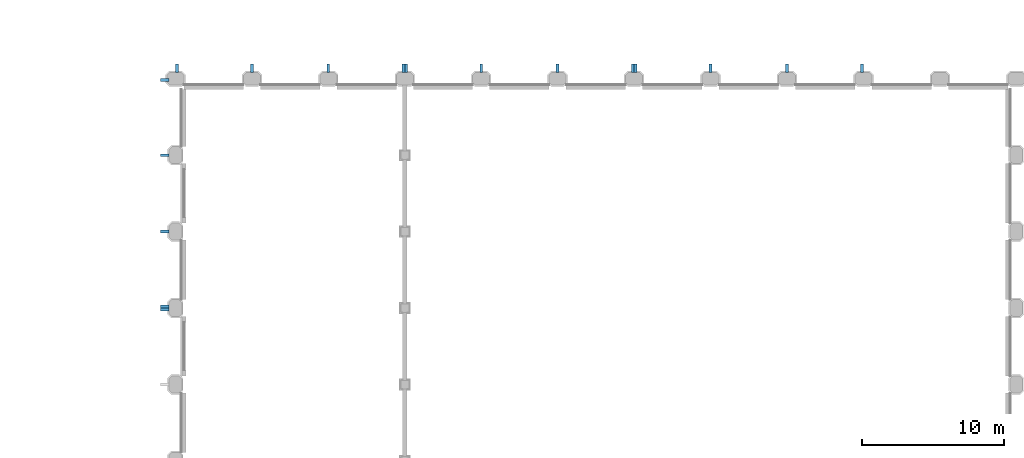
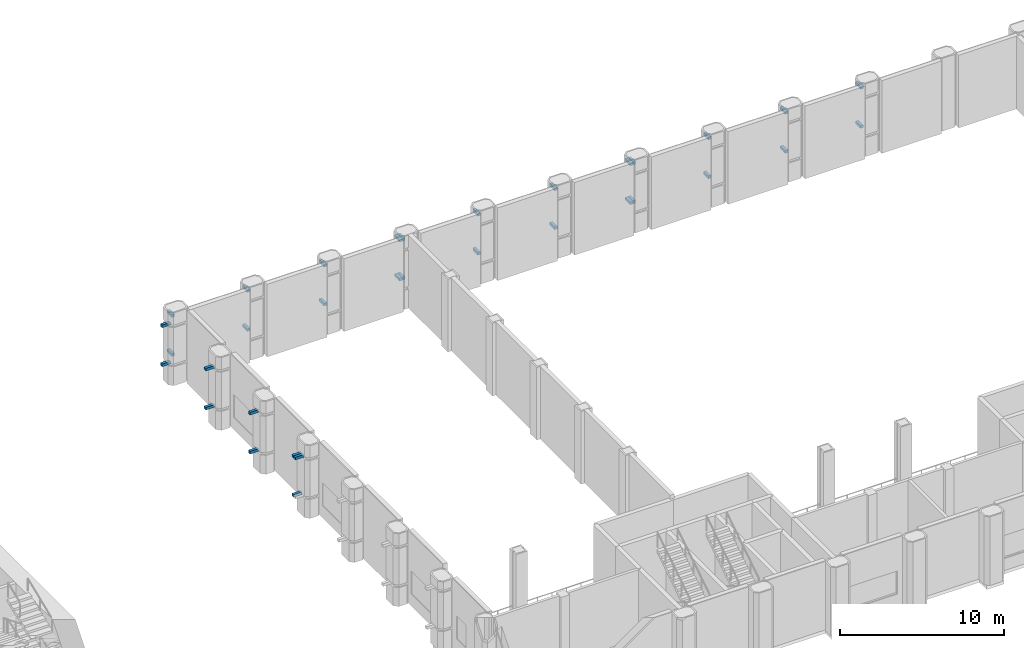
# One storey, part 18 of 27: 33 discrete accessories.
"""IFC4 building model written with IfcOpenShell, lengths in metres."""

import ifcopenshell
import ifcopenshell.guid

model = None  # the IFC model being written
_history = None  # IfcOwnerHistory: only IFC2X3 demands one
_inside = {}  # id of a spatial element -> (the spatial element, [elements in it])
_under = {}  # id of a project, library or spatial element -> (it, [spatial elements below it])
_declared = {}  # id of a project -> (the project, [libraries it declares])
_typed = {}  # id of a type object -> (the type object, [elements of that type])
_made_of = {}  # id of a material, layer set ... -> (it, [elements and type objects made of it])


def new_model(schema):
    """Start an empty IFC model of exactly this schema.

    Asked for "IFC4X3", IfcOpenShell would pick the latest addendum, in which some entities
    have other attributes; the version numbers below select the first issue.
    IFC2X3 requires an IfcOwnerHistory on every rooted entity: one is made here for all.
    """
    global model, _history
    if schema == "IFC4X3":
        model = ifcopenshell.file(schema_version=(4, 3, 0, 0))
    else:
        model = ifcopenshell.file(schema=schema)
    _inside.clear()
    _under.clear()
    _declared.clear()
    _typed.clear()
    _made_of.clear()
    _history = None
    if model.schema == "IFC2X3":
        org = make("IfcOrganization", Name="unknown")
        user = make(
            "IfcPersonAndOrganization",
            ThePerson=make("IfcPerson", FamilyName="unknown"),
            TheOrganization=org,
        )
        app = make(
            "IfcApplication",
            ApplicationDeveloper=org,
            Version="unknown",
            ApplicationFullName="unknown",
            ApplicationIdentifier="unknown",
        )
        _history = make(
            "IfcOwnerHistory",
            OwningUser=user,
            OwningApplication=app,
            ChangeAction="ADDED",
            CreationDate=0,
        )
    return model


def make(cls, **values):
    """One entity of the class cls with the attributes given. An attribute that is None is left unset."""
    return model.create_entity(
        cls, **{name: value for name, value in values.items() if value is not None}
    )


def rooted(cls, **values):
    """An entity with a GlobalId (a new one), such as an element, a storey or a relation."""
    return make(cls, GlobalId=ifcopenshell.guid.new(), OwnerHistory=_history, **values)


def si_unit(unit_type, name, prefix=None):
    """IfcSIUnit, for example si_unit("LENGTHUNIT", "METRE", prefix="MILLI")."""
    return make("IfcSIUnit", UnitType=unit_type, Prefix=prefix, Name=name)


def assignment(units):
    """IfcUnitAssignment: the units of a project."""
    return None if units is None else make("IfcUnitAssignment", Units=units)


def point(xyz):
    """IfcCartesianPoint."""
    return None if xyz is None else make("IfcCartesianPoint", Coordinates=xyz)


def direction(xyz):
    """IfcDirection."""
    return None if xyz is None else make("IfcDirection", DirectionRatios=xyz)


def frame(location, z_axis=None, x_axis=None):
    """IfcAxis2Placement3D, a coordinate frame: its origin and axes. An axis left out is left unset."""
    return make(
        "IfcAxis2Placement3D",
        Location=point(location),
        Axis=direction(z_axis),
        RefDirection=direction(x_axis),
    )


def frame_2d(location, x_axis=None):
    """IfcAxis2Placement2D, a coordinate frame in the plane: its origin and x axis."""
    return make(
        "IfcAxis2Placement2D", Location=point(location), RefDirection=direction(x_axis)
    )


def origin():
    """The frame at (0, 0, 0) with its axes left unset."""
    return frame((0.0, 0.0, 0.0))


def origin_2d():
    """The frame at (0, 0) in the plane with its x axis left unset."""
    return frame_2d((0.0, 0.0))


def place(relative_to, where):
    """IfcLocalPlacement: puts the frame where relative to a parent placement (None: the world)."""
    return make(
        "IfcLocalPlacement", PlacementRelTo=relative_to, RelativePlacement=where
    )


def context(
    kind, dimensions, precision=None, world=None, true_north=None, identifier=None
):
    """IfcGeometricRepresentationContext, for example the 3D "Model" context."""
    return make(
        "IfcGeometricRepresentationContext",
        ContextIdentifier=identifier,
        ContextType=kind,
        CoordinateSpaceDimension=dimensions,
        Precision=precision,
        WorldCoordinateSystem=world,
        TrueNorth=true_north,
    )


def subcontext(parent, identifier, kind, view, scale=None):
    """IfcGeometricRepresentationSubContext, for example "Body" below "Model"."""
    return make(
        "IfcGeometricRepresentationSubContext",
        ContextIdentifier=identifier,
        ContextType=kind,
        ParentContext=parent,
        TargetScale=scale,
        TargetView=view,
    )


def project(units=None, contexts=None):
    """IfcProject with its units and contexts."""
    return rooted(
        "IfcProject",
        Name="project",
        RepresentationContexts=contexts,
        UnitsInContext=assignment(units),
    )


def spatial(cls, under=None, at=None, **own):
    """A site, building, storey or space (cls), placed at a placement, below another one or the project."""
    s = rooted(cls, ObjectPlacement=at, **own)
    if under is not None:
        _under.setdefault(under.id(), (under, []))[1].append(s)
    return s


def profile(cls, at=None, kind="AREA", **sizes):
    """A parametric profile (cls). Its sizes go by their IFC names, for example OverallWidth=200.0."""
    return make(cls, ProfileType=kind, Position=at, **sizes)


def rectangle(**sizes):
    """IfcRectangleProfileDef."""
    return profile("IfcRectangleProfileDef", **sizes)


def extrude(swept, where, along, depth):
    """IfcExtrudedAreaSolid: the profile swept, set in the frame where, extruded along a direction by depth."""
    return make(
        "IfcExtrudedAreaSolid",
        SweptArea=swept,
        Position=where,
        ExtrudedDirection=direction(along),
        Depth=depth,
    )


def shape(context_of_items, identifier, shape_type, items):
    """IfcShapeRepresentation: the items that make up one representation, for example the "Body"."""
    return make(
        "IfcShapeRepresentation",
        ContextOfItems=context_of_items,
        RepresentationIdentifier=identifier,
        RepresentationType=shape_type,
        Items=items,
    )


def made_of(thing, what):
    """Note that an element or type object is made of a material, layer set ...; save() writes the relation."""
    if what is not None:
        _made_of.setdefault(what.id(), (what, []))[1].append(thing)
    return thing


def element(
    cls,
    number,
    at=None,
    inside=None,
    cuts=None,
    type_object=None,
    material=None,
    context=None,
    identifier="Body",
    shape_type=None,
    held_by="IfcProductDefinitionShape",
    body=None,
    shapes=None,
    **own,
):
    """One element of the class cls, such as IfcWall. Its Tag is "e" and its number.

    at: its placement. inside: the storey or other place that contains it. cuts: it is an
    opening in that element (IfcRelVoidsElement). A single representation is given by context,
    identifier, shape_type and body (its items); several are given by shapes. held_by: the class
    of the entity that holds the representations. save() writes the other relations.
    """
    e = rooted(cls, Tag="e%d" % number, ObjectPlacement=at, **own)
    if body is not None:
        shapes = [shape(context, identifier, shape_type, body)]
    if shapes is not None:
        e.Representation = make(held_by, Representations=shapes)
    if inside is not None:
        _inside.setdefault(inside.id(), (inside, []))[1].append(e)
    if cuts is not None:
        rooted(
            "IfcRelVoidsElement", RelatingBuildingElement=cuts, RelatedOpeningElement=e
        )
    if type_object is not None:
        _typed.setdefault(type_object.id(), (type_object, []))[1].append(e)
    return made_of(e, material)


def aggregate(whole, parts):
    """IfcRelAggregates: a whole, such as a stair, and the parts it consists of."""
    return rooted("IfcRelAggregates", RelatingObject=whole, RelatedObjects=parts)


def save(model, path):
    """Write the relations noted so far, then the file.

    IfcRelAggregates (storeys below a building ...), IfcRelContainedInSpatialStructure (elements
    in a storey), IfcRelDefinesByType, IfcRelAssociatesMaterial and IfcRelDeclares: one each for
    every whole, place, type object, material and project.
    """
    for whole, parts in _under.values():
        aggregate(whole, parts)
    for where, things in _inside.values():
        rooted(
            "IfcRelContainedInSpatialStructure",
            RelatedElements=things,
            RelatingStructure=where,
        )
    for kind, things in _typed.values():
        rooted("IfcRelDefinesByType", RelatedObjects=things, RelatingType=kind)
    for what, things in _made_of.values():
        rooted("IfcRelAssociatesMaterial", RelatedObjects=things, RelatingMaterial=what)
    for by, libraries in _declared.values():
        rooted("IfcRelDeclares", RelatingContext=by, RelatedDefinitions=libraries)
    model.write(path)


model = new_model("IFC4")

# Units and contexts
model_context = context("Model", 3, precision=1e-05, world=origin(), true_north=direction((0.0, 1.0)))
body_context = subcontext(model_context, "Body", "Model", "MODEL_VIEW")
ifc_project = project(units=[si_unit("LENGTHUNIT", "METRE"), si_unit("AREAUNIT", "SQUARE_METRE"), si_unit("VOLUMEUNIT", "CUBIC_METRE"), si_unit("PLANEANGLEUNIT", "RADIAN"), si_unit("MASSUNIT", "GRAM", prefix="KILO")], contexts=[model_context])

# Site, building, storey
site_placement = place(None, origin())
site = spatial("IfcSite", under=ifc_project, at=site_placement, CompositionType="ELEMENT")
building_placement = place(site_placement, origin())
building = spatial("IfcBuilding", under=site, at=building_placement, Name="Tabaq Tower and Sports Hall", CompositionType="ELEMENT")
storey_placement = place(building_placement, frame((0.0, 0.0, 14.39990234375)))
storey = spatial("IfcBuildingStorey", under=building, at=storey_placement, Name="L02", CompositionType="ELEMENT", Elevation=14.39990234375)

# Discrete accessories
for number, where, z_axis, x_axis, name in (
    (1, (64.89990234375, 43.949951171875, 1.39990234375), (0.0, 0.0, 1.0), (1.0, 0.0, 0.0), "Stainless steel bracket"),
    (2, (64.89990234375, 43.949951171875, 4.30029296875), (0.0, 0.0, 1.0), (1.0, 0.0, 0.0), "Stainless steel bracket"),
    (3, (70.199951171875, 43.949951171875, 1.39990234375), (0.0, 0.0, 1.0), (1.0, 0.0, 0.0), "Stainless steel bracket"),
    (4, (70.199951171875, 43.949951171875, 4.30029296875), (0.0, 0.0, 1.0), (1.0, 0.0, 0.0), "Stainless steel bracket"),
    (5, (75.60009765625, 43.949951171875, 1.39990234375), (0.0, 0.0, 1.0), (1.0, 0.0, 0.0), "Stainless steel bracket"),
    (6, (75.60009765625, 43.949951171875, 4.30029296875), (0.0, 0.0, 1.0), (1.0, 0.0, 0.0), "Stainless steel bracket"),
    (7, (80.89990234375, 43.949951171875, 1.39990234375), (0.0, 0.0, 1.0), (1.0, 0.0, 0.0), "Stainless steel bracket"),
    (8, (80.89990234375, 43.949951171875, 4.30029296875), (0.0, 0.0, 1.0), (1.0, 0.0, 0.0), "Stainless steel bracket"),
    (9, (81.10009765625, 43.949951171875, 1.39990234375), (0.0, 0.0, 1.0), (1.0, 0.0, 0.0), "Stainless steel bracket"),
    (10, (81.10009765625, 43.949951171875, 4.30029296875), (0.0, 0.0, 1.0), (1.0, 0.0, 0.0), "Stainless steel bracket"),
    (11, (86.39990234375, 43.949951171875, 1.39990234375), (0.0, 0.0, 1.0), (1.0, 0.0, 0.0), "Stainless steel bracket"),
    (12, (86.39990234375, 43.949951171875, 4.30029296875), (0.0, 0.0, 1.0), (1.0, 0.0, 0.0), "Stainless steel bracket"),
    (13, (91.800048828125, 43.949951171875, 1.39990234375), (0.0, 0.0, 1.0), (1.0, 0.0, 0.0), "Stainless steel bracket"),
    (14, (91.800048828125, 43.949951171875, 4.30029296875), (0.0, 0.0, 1.0), (1.0, 0.0, 0.0), "Stainless steel bracket"),
    (15, (97.10009765625, 43.949951171875, 1.39990234375), (0.0, 0.0, 1.0), (1.0, 0.0, 0.0), "Stainless steel bracket"),
    (16, (97.10009765625, 43.949951171875, 4.30029296875), (0.0, 0.0, 1.0), (1.0, 0.0, 0.0), "Stainless steel bracket"),
    (17, (97.300048828125, 43.949951171875, 1.39990234375), (0.0, 0.0, 1.0), (1.0, 0.0, 0.0), "Stainless steel bracket"),
    (18, (97.300048828125, 43.949951171875, 4.30029296875), (0.0, 0.0, 1.0), (1.0, 0.0, 0.0), "Stainless steel bracket"),
    (19, (102.60009765625, 43.949951171875, 1.39990234375), (0.0, 0.0, 1.0), (1.0, 0.0, 0.0), "Stainless steel bracket"),
    (20, (102.60009765625, 43.949951171875, 4.30029296875), (0.0, 0.0, 1.0), (1.0, 0.0, 0.0), "Stainless steel bracket"),
    (21, (108.0, 43.949951171875, 1.39990234375), (0.0, 0.0, 1.0), (1.0, 0.0, 0.0), "Stainless steel bracket"),
    (22, (108.0, 43.949951171875, 4.30029296875), (0.0, 0.0, 1.0), (1.0, 0.0, 0.0), "Stainless steel bracket"),
    (23, (113.300048828125, 43.949951171875, 1.39990234375), (0.0, 0.0, 1.0), (1.0, 0.0, 0.0), "Stainless steel bracket"),
    (24, (113.300048828125, 43.949951171875, 4.30029296875), (0.0, 0.0, 1.0), (1.0, 0.0, 0.0), "Stainless steel bracket"),
    (25, (64.050048828125, 26.89990234375, 4.30029296875), (0.0, 0.0, 1.0), (0.0, 1.0, 0.0), "Stainless steel bracket"),
    (26, (64.050048828125, 27.10009765625, 1.39990234375), (0.0, 0.0, 1.0), (0.0, 1.0, 0.0), "Stainless steel bracket"),
    (27, (64.050048828125, 27.10009765625, 4.30029296875), (0.0, 0.0, 1.0), (0.0, 1.0, 0.0), "Stainless steel bracket"),
    (28, (64.050048828125, 32.39990234375, 1.39990234375), (0.0, 0.0, 1.0), (0.0, 1.0, 0.0), "Stainless steel bracket"),
    (29, (64.050048828125, 32.39990234375, 4.30029296875), (0.0, 0.0, 1.0), (0.0, 1.0, 0.0), "Stainless steel bracket"),
    (30, (64.050048828125, 37.800048828125, 1.39990234375), (0.0, 0.0, 1.0), (0.0, 1.0, 0.0), "Stainless steel bracket"),
    (31, (64.050048828125, 37.800048828125, 4.30029296875), (0.0, 0.0, 1.0), (0.0, 1.0, 0.0), "Stainless steel bracket"),
    (32, (64.050048828125, 43.10009765625, 1.39990234375), (0.0, 0.0, 1.0), (0.0, 1.0, 0.0), "Stainless steel bracket"),
    (33, (64.050048828125, 43.10009765625, 4.30029296875), (0.0, 0.0, 1.0), (0.0, 1.0, 0.0), "Stainless steel bracket"),
):
    element("IfcDiscreteAccessory", number, at=place(storey_placement, frame(where, z_axis=z_axis, x_axis=x_axis)), inside=storey, Name=name, PredefinedType="BRACKET", context=body_context, shape_type="SweptSolid", body=[
        extrude(rectangle(XDim=0.199951171875, YDim=0.60009765625, at=origin_2d()), origin(), (0.0, 0.0, 1.0), 0.199951171875),
    ])

save(model, "model.ifc")
